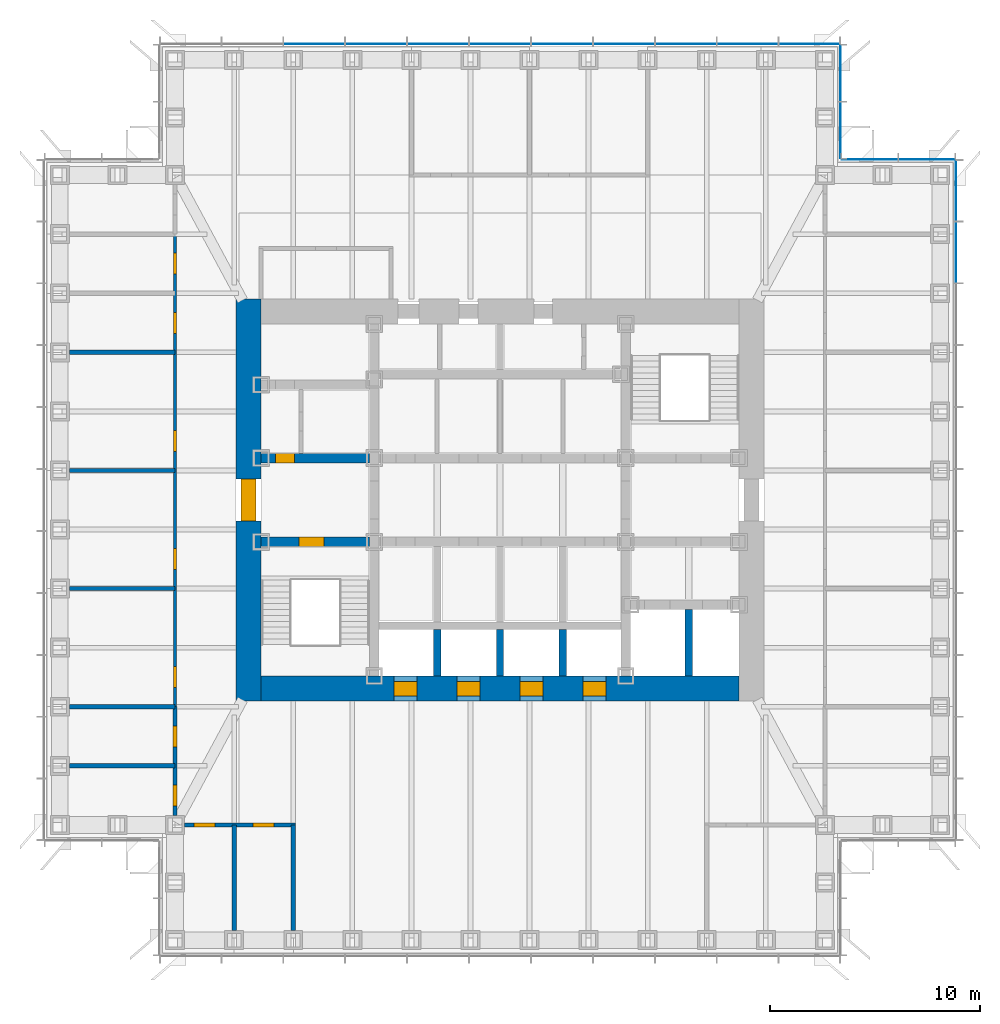
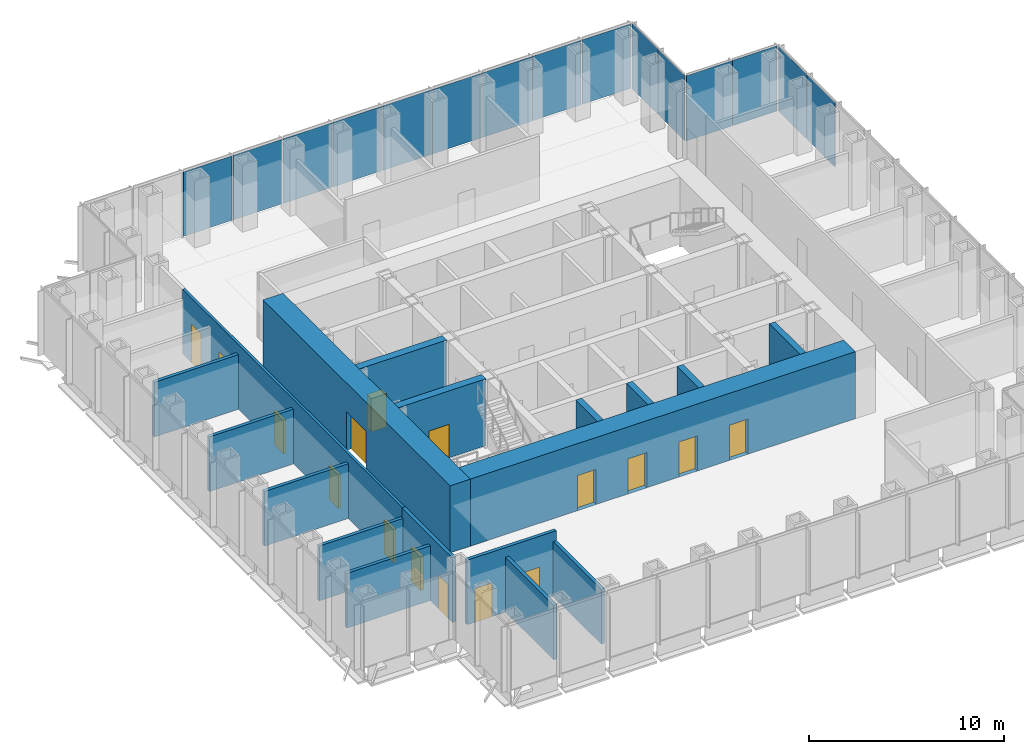
# One storey, part 8 of 17: 18 walls, 16 doors, 15 plates, 16 openings, 4 elements without a shape of their own.
"""IFC4 building model written with IfcOpenShell, lengths in metres."""

import ifcopenshell
import ifcopenshell.guid

model = None  # the IFC model being written
_history = None  # IfcOwnerHistory: only IFC2X3 demands one
_inside = {}  # id of a spatial element -> (the spatial element, [elements in it])
_under = {}  # id of a project, library or spatial element -> (it, [spatial elements below it])
_declared = {}  # id of a project -> (the project, [libraries it declares])
_typed = {}  # id of a type object -> (the type object, [elements of that type])
_made_of = {}  # id of a material, layer set ... -> (it, [elements and type objects made of it])


def new_model(schema):
    """Start an empty IFC model of exactly this schema.

    Asked for "IFC4X3", IfcOpenShell would pick the latest addendum, in which some entities
    have other attributes; the version numbers below select the first issue.
    IFC2X3 requires an IfcOwnerHistory on every rooted entity: one is made here for all.
    """
    global model, _history
    if schema == "IFC4X3":
        model = ifcopenshell.file(schema_version=(4, 3, 0, 0))
    else:
        model = ifcopenshell.file(schema=schema)
    _inside.clear()
    _under.clear()
    _declared.clear()
    _typed.clear()
    _made_of.clear()
    _history = None
    if model.schema == "IFC2X3":
        org = make("IfcOrganization", Name="unknown")
        user = make(
            "IfcPersonAndOrganization",
            ThePerson=make("IfcPerson", FamilyName="unknown"),
            TheOrganization=org,
        )
        app = make(
            "IfcApplication",
            ApplicationDeveloper=org,
            Version="unknown",
            ApplicationFullName="unknown",
            ApplicationIdentifier="unknown",
        )
        _history = make(
            "IfcOwnerHistory",
            OwningUser=user,
            OwningApplication=app,
            ChangeAction="ADDED",
            CreationDate=0,
        )
    return model


def make(cls, **values):
    """One entity of the class cls with the attributes given. An attribute that is None is left unset."""
    return model.create_entity(
        cls, **{name: value for name, value in values.items() if value is not None}
    )


def rooted(cls, **values):
    """An entity with a GlobalId (a new one), such as an element, a storey or a relation."""
    return make(cls, GlobalId=ifcopenshell.guid.new(), OwnerHistory=_history, **values)


def si_unit(unit_type, name, prefix=None):
    """IfcSIUnit, for example si_unit("LENGTHUNIT", "METRE", prefix="MILLI")."""
    return make("IfcSIUnit", UnitType=unit_type, Prefix=prefix, Name=name)


def assignment(units):
    """IfcUnitAssignment: the units of a project."""
    return None if units is None else make("IfcUnitAssignment", Units=units)


def point(xyz):
    """IfcCartesianPoint."""
    return None if xyz is None else make("IfcCartesianPoint", Coordinates=xyz)


def direction(xyz):
    """IfcDirection."""
    return None if xyz is None else make("IfcDirection", DirectionRatios=xyz)


def frame(location, z_axis=None, x_axis=None):
    """IfcAxis2Placement3D, a coordinate frame: its origin and axes. An axis left out is left unset."""
    return make(
        "IfcAxis2Placement3D",
        Location=point(location),
        Axis=direction(z_axis),
        RefDirection=direction(x_axis),
    )


def frame_2d(location, x_axis=None):
    """IfcAxis2Placement2D, a coordinate frame in the plane: its origin and x axis."""
    return make(
        "IfcAxis2Placement2D", Location=point(location), RefDirection=direction(x_axis)
    )


def origin():
    """The frame at (0, 0, 0) with its axes left unset."""
    return frame((0.0, 0.0, 0.0))


def origin_2d():
    """The frame at (0, 0) in the plane with its x axis left unset."""
    return frame_2d((0.0, 0.0))


def place(relative_to, where):
    """IfcLocalPlacement: puts the frame where relative to a parent placement (None: the world)."""
    return make(
        "IfcLocalPlacement", PlacementRelTo=relative_to, RelativePlacement=where
    )


def context(
    kind, dimensions, precision=None, world=None, true_north=None, identifier=None
):
    """IfcGeometricRepresentationContext, for example the 3D "Model" context."""
    return make(
        "IfcGeometricRepresentationContext",
        ContextIdentifier=identifier,
        ContextType=kind,
        CoordinateSpaceDimension=dimensions,
        Precision=precision,
        WorldCoordinateSystem=world,
        TrueNorth=true_north,
    )


def subcontext(parent, identifier, kind, view, scale=None):
    """IfcGeometricRepresentationSubContext, for example "Body" below "Model"."""
    return make(
        "IfcGeometricRepresentationSubContext",
        ContextIdentifier=identifier,
        ContextType=kind,
        ParentContext=parent,
        TargetScale=scale,
        TargetView=view,
    )


def project(units=None, contexts=None):
    """IfcProject with its units and contexts."""
    return rooted(
        "IfcProject",
        Name="project",
        RepresentationContexts=contexts,
        UnitsInContext=assignment(units),
    )


def spatial(cls, under=None, at=None, **own):
    """A site, building, storey or space (cls), placed at a placement, below another one or the project."""
    s = rooted(cls, ObjectPlacement=at, **own)
    if under is not None:
        _under.setdefault(under.id(), (under, []))[1].append(s)
    return s


def profile(cls, at=None, kind="AREA", **sizes):
    """A parametric profile (cls). Its sizes go by their IFC names, for example OverallWidth=200.0."""
    return make(cls, ProfileType=kind, Position=at, **sizes)


def rectangle(**sizes):
    """IfcRectangleProfileDef."""
    return profile("IfcRectangleProfileDef", **sizes)


def extrude(swept, where, along, depth):
    """IfcExtrudedAreaSolid: the profile swept, set in the frame where, extruded along a direction by depth."""
    return make(
        "IfcExtrudedAreaSolid",
        SweptArea=swept,
        Position=where,
        ExtrudedDirection=direction(along),
        Depth=depth,
    )


def shape(context_of_items, identifier, shape_type, items):
    """IfcShapeRepresentation: the items that make up one representation, for example the "Body"."""
    return make(
        "IfcShapeRepresentation",
        ContextOfItems=context_of_items,
        RepresentationIdentifier=identifier,
        RepresentationType=shape_type,
        Items=items,
    )


def material(Name=None, Category=None):
    """IfcMaterial."""
    return make("IfcMaterial", Name=Name, Category=Category)


def layer(
    of_material, thickness, ventilated=None, Name=None, Category=None, Priority=None
):
    """IfcMaterialLayer: one layer of a wall or slab, of a material (None: an air gap)."""
    return make(
        "IfcMaterialLayer",
        Material=of_material,
        LayerThickness=thickness,
        IsVentilated=ventilated,
        Name=Name,
        Category=Category,
        Priority=Priority,
    )


def layer_set(layers, Name=None):
    """IfcMaterialLayerSet."""
    return make("IfcMaterialLayerSet", MaterialLayers=layers, LayerSetName=Name)


def made_of(thing, what):
    """Note that an element or type object is made of a material, layer set ...; save() writes the relation."""
    if what is not None:
        _made_of.setdefault(what.id(), (what, []))[1].append(thing)
    return thing


def type_object(cls, material=None, **own):
    """A type object (cls), such as IfcWallType, which elements share."""
    return made_of(rooted(cls, **own), material)


def element(
    cls,
    number,
    at=None,
    inside=None,
    cuts=None,
    type_object=None,
    material=None,
    context=None,
    identifier="Body",
    shape_type=None,
    held_by="IfcProductDefinitionShape",
    body=None,
    shapes=None,
    **own,
):
    """One element of the class cls, such as IfcWall. Its Tag is "e" and its number.

    at: its placement. inside: the storey or other place that contains it. cuts: it is an
    opening in that element (IfcRelVoidsElement). A single representation is given by context,
    identifier, shape_type and body (its items); several are given by shapes. held_by: the class
    of the entity that holds the representations. save() writes the other relations.
    """
    e = rooted(cls, Tag="e%d" % number, ObjectPlacement=at, **own)
    if body is not None:
        shapes = [shape(context, identifier, shape_type, body)]
    if shapes is not None:
        e.Representation = make(held_by, Representations=shapes)
    if inside is not None:
        _inside.setdefault(inside.id(), (inside, []))[1].append(e)
    if cuts is not None:
        rooted(
            "IfcRelVoidsElement", RelatingBuildingElement=cuts, RelatedOpeningElement=e
        )
    if type_object is not None:
        _typed.setdefault(type_object.id(), (type_object, []))[1].append(e)
    return made_of(e, material)


def fill(opening, filler):
    """IfcRelFillsElement: the door or window that sits in an opening."""
    return rooted(
        "IfcRelFillsElement",
        RelatingOpeningElement=opening,
        RelatedBuildingElement=filler,
    )


def aggregate(whole, parts):
    """IfcRelAggregates: a whole, such as a stair, and the parts it consists of."""
    return rooted("IfcRelAggregates", RelatingObject=whole, RelatedObjects=parts)


def save(model, path):
    """Write the relations noted so far, then the file.

    IfcRelAggregates (storeys below a building ...), IfcRelContainedInSpatialStructure (elements
    in a storey), IfcRelDefinesByType, IfcRelAssociatesMaterial and IfcRelDeclares: one each for
    every whole, place, type object, material and project.
    """
    for whole, parts in _under.values():
        aggregate(whole, parts)
    for where, things in _inside.values():
        rooted(
            "IfcRelContainedInSpatialStructure",
            RelatedElements=things,
            RelatingStructure=where,
        )
    for kind, things in _typed.values():
        rooted("IfcRelDefinesByType", RelatedObjects=things, RelatingType=kind)
    for what, things in _made_of.values():
        rooted("IfcRelAssociatesMaterial", RelatedObjects=things, RelatingMaterial=what)
    for by, libraries in _declared.values():
        rooted("IfcRelDeclares", RelatingContext=by, RelatedDefinitions=libraries)
    model.write(path)


model = new_model("IFC4")

# Units and contexts
model_context = context("Model", 3, precision=1e-05, world=origin(), true_north=direction((0.0, 1.0)))
body_context = subcontext(model_context, "Body", "Model", "MODEL_VIEW")
ifc_project = project(units=[si_unit("LENGTHUNIT", "METRE"), si_unit("AREAUNIT", "SQUARE_METRE"), si_unit("VOLUMEUNIT", "CUBIC_METRE"), si_unit("PLANEANGLEUNIT", "RADIAN"), si_unit("MASSUNIT", "GRAM", prefix="KILO")], contexts=[model_context])

# Site, building, storey
site_placement = place(None, origin())
site = spatial("IfcSite", under=ifc_project, at=site_placement, CompositionType="ELEMENT")
building_placement = place(site_placement, origin())
building = spatial("IfcBuilding", under=site, at=building_placement, Name="Daluyong Arena Tower", CompositionType="ELEMENT")
storey_placement = place(building_placement, frame((0.0, 0.0, 185.5)))
storey = spatial("IfcBuildingStorey", under=building, at=storey_placement, Name="L41", CompositionType="ELEMENT", Elevation=185.5)

# Curtain wall, plates
ifc_material_1 = material(Name="Bronze anodised aluminium and glass", Category="aluminium")
curtain_wall_type_1 = type_object("IfcCurtainWallType", Name="Curtain wall CW3", PredefinedType="USERDEFINED", material=ifc_material_1)
curtain_wall_1_placement = place(storey_placement, origin())
curtain_wall_1 = element("IfcCurtainWall", 1, at=curtain_wall_1_placement, inside=storey, type_object=curtain_wall_type_1, Name="curtain wall L41 E", ObjectType="UNITISED CURTAIN WALL", PredefinedType="USERDEFINED")
ifc_material_2 = material(Name="Tinted double glazed unit", Category="glass")
ifc_layer_1 = layer(ifc_material_2, 0.030029296875)
ifc_layer_set_1 = layer_set([ifc_layer_1], Name="Tinted double glazed unit")
plate_type_1 = type_object("IfcPlateType", Name="CW3 panel 30", PredefinedType="CURTAIN_PANEL", material=ifc_layer_set_1)
plate_1_placement = place(storey_placement, frame((77.75, 91.818115234375, 0.0), z_axis=(0.0, 0.0, 1.0), x_axis=(0.0, 1.0, 0.0)))
plate_1 = element("IfcPlate", 2, at=plate_1_placement, type_object=plate_type_1, Name="curtain wall L41 E panel 10", PredefinedType="CURTAIN_PANEL", context=body_context, shape_type="SweptSolid", body=[
    extrude(rectangle(XDim=2.884521484375, YDim=0.030029296875, at=origin_2d()), origin(), (0.0, 0.0, 1.0), 4.0400390625),
])
plate_2_placement = place(storey_placement, frame((77.75, 94.755126953125, 0.0), z_axis=(0.0, 0.0, 1.0), x_axis=(0.0, 1.0, 0.0)))
plate_2 = element("IfcPlate", 3, at=plate_2_placement, type_object=plate_type_1, Name="curtain wall L41 E panel 11", PredefinedType="CURTAIN_PANEL", context=body_context, shape_type="SweptSolid", body=[
    extrude(rectangle(XDim=2.849609375, YDim=0.030029296875, at=origin_2d()), origin(), (0.0, 0.0, 1.0), 4.0400390625),
])
aggregate(curtain_wall_1, [plate_1, plate_2])

curtain_wall_2_placement = place(storey_placement, origin())
curtain_wall_2 = element("IfcCurtainWall", 4, at=curtain_wall_2_placement, inside=storey, type_object=curtain_wall_type_1, Name="curtain wall L41 N", ObjectType="UNITISED CURTAIN WALL", PredefinedType="USERDEFINED")
plate_3_placement = place(storey_placement, frame((70.755126953125, 101.75, 0.0), z_axis=(0.0, 0.0, 1.0), x_axis=(-1.0, 0.0, 0.0)))
plate_3 = element("IfcPlate", 5, at=plate_3_placement, type_object=plate_type_1, Name="curtain wall L41 N panel 1", PredefinedType="CURTAIN_PANEL", context=body_context, shape_type="SweptSolid", body=[
    extrude(rectangle(XDim=2.849609375, YDim=0.030029296875, at=origin_2d()), origin(), (0.0, 0.0, 1.0), 4.0400390625),
])
plate_4_placement = place(storey_placement, frame((67.818115234375, 101.75, 0.0), z_axis=(0.0, 0.0, 1.0), x_axis=(-1.0, 0.0, 0.0)))
plate_4 = element("IfcPlate", 6, at=plate_4_placement, type_object=plate_type_1, Name="curtain wall L41 N panel 2", PredefinedType="CURTAIN_PANEL", context=body_context, shape_type="SweptSolid", body=[
    extrude(rectangle(XDim=2.884521484375, YDim=0.030029296875, at=origin_2d()), origin(), (0.0, 0.0, 1.0), 4.0400390625),
])
plate_5_placement = place(storey_placement, frame((64.863525390625, 101.75, 0.0), z_axis=(0.0, 0.0, 1.0), x_axis=(-1.0, 0.0, 0.0)))
plate_5 = element("IfcPlate", 7, at=plate_5_placement, type_object=plate_type_1, Name="curtain wall L41 N panel 3", PredefinedType="CURTAIN_PANEL", context=body_context, shape_type="SweptSolid", body=[
    extrude(rectangle(XDim=2.884521484375, YDim=0.030029296875, at=origin_2d()), origin(), (0.0, 0.0, 1.0), 4.0400390625),
])
plate_6_placement = place(storey_placement, frame((61.9091796875, 101.75, 0.0), z_axis=(0.0, 0.0, 1.0), x_axis=(-1.0, 0.0, 0.0)))
plate_6 = element("IfcPlate", 8, at=plate_6_placement, type_object=plate_type_1, Name="curtain wall L41 N panel 4", PredefinedType="CURTAIN_PANEL", context=body_context, shape_type="SweptSolid", body=[
    extrude(rectangle(XDim=2.884521484375, YDim=0.030029296875, at=origin_2d()), origin(), (0.0, 0.0, 1.0), 4.0400390625),
])
plate_7_placement = place(storey_placement, frame((58.95458984375, 101.75, 0.0), z_axis=(0.0, 0.0, 1.0), x_axis=(-1.0, 0.0, 0.0)))
plate_7 = element("IfcPlate", 9, at=plate_7_placement, type_object=plate_type_1, Name="curtain wall L41 N panel 5", PredefinedType="CURTAIN_PANEL", context=body_context, shape_type="SweptSolid", body=[
    extrude(rectangle(XDim=2.884521484375, YDim=0.030029296875, at=origin_2d()), origin(), (0.0, 0.0, 1.0), 4.0400390625),
])
plate_8_placement = place(storey_placement, frame((56.0, 101.75, 0.0), z_axis=(0.0, 0.0, 1.0), x_axis=(-1.0, 0.0, 0.0)))
plate_8 = element("IfcPlate", 10, at=plate_8_placement, type_object=plate_type_1, Name="curtain wall L41 N panel 6", PredefinedType="CURTAIN_PANEL", context=body_context, shape_type="SweptSolid", body=[
    extrude(rectangle(XDim=2.884521484375, YDim=0.030029296875, at=origin_2d()), origin(), (0.0, 0.0, 1.0), 4.0400390625),
])
plate_9_placement = place(storey_placement, frame((53.04541015625, 101.75, 0.0), z_axis=(0.0, 0.0, 1.0), x_axis=(-1.0, 0.0, 0.0)))
plate_9 = element("IfcPlate", 11, at=plate_9_placement, type_object=plate_type_1, Name="curtain wall L41 N panel 7", PredefinedType="CURTAIN_PANEL", context=body_context, shape_type="SweptSolid", body=[
    extrude(rectangle(XDim=2.884521484375, YDim=0.030029296875, at=origin_2d()), origin(), (0.0, 0.0, 1.0), 4.0400390625),
])
plate_10_placement = place(storey_placement, frame((50.0908203125, 101.75, 0.0), z_axis=(0.0, 0.0, 1.0), x_axis=(-1.0, 0.0, 0.0)))
plate_10 = element("IfcPlate", 12, at=plate_10_placement, type_object=plate_type_1, Name="curtain wall L41 N panel 8", PredefinedType="CURTAIN_PANEL", context=body_context, shape_type="SweptSolid", body=[
    extrude(rectangle(XDim=2.884521484375, YDim=0.030029296875, at=origin_2d()), origin(), (0.0, 0.0, 1.0), 4.0400390625),
])
plate_11_placement = place(storey_placement, frame((47.136474609375, 101.75, 0.0), z_axis=(0.0, 0.0, 1.0), x_axis=(-1.0, 0.0, 0.0)))
plate_11 = element("IfcPlate", 13, at=plate_11_placement, type_object=plate_type_1, Name="curtain wall L41 N panel 9", PredefinedType="CURTAIN_PANEL", context=body_context, shape_type="SweptSolid", body=[
    extrude(rectangle(XDim=2.884521484375, YDim=0.030029296875, at=origin_2d()), origin(), (0.0, 0.0, 1.0), 4.0400390625),
])
aggregate(curtain_wall_2, [plate_3, plate_4, plate_5, plate_6, plate_7, plate_8, plate_9, plate_10, plate_11])

ifc_material_3 = material(Name="Bronze anodised aluminium and glass", Category="aluminium")
curtain_wall_type_2 = type_object("IfcCurtainWallType", Name="Curtain wall CW7", PredefinedType="USERDEFINED", material=ifc_material_3)
curtain_wall_3_placement = place(storey_placement, origin())
curtain_wall_3 = element("IfcCurtainWall", 14, at=curtain_wall_3_placement, inside=storey, type_object=curtain_wall_type_2, Name="curtain wall L41 NE-N", ObjectType="UNITISED CURTAIN WALL", PredefinedType="USERDEFINED")
ifc_material_4 = material(Name="Tinted double glazed unit", Category="glass")
ifc_layer_2 = layer(ifc_material_4, 0.028076171875)
ifc_layer_set_2 = layer_set([ifc_layer_2], Name="Tinted double glazed unit")
plate_type_2 = type_object("IfcPlateType", Name="CW7 panel 28", PredefinedType="CURTAIN_PANEL", material=ifc_layer_set_2)
plate_12_placement = place(storey_placement, frame((76.360107421875, 96.25, 0.0), z_axis=(0.0, 0.0, 1.0), x_axis=(-1.0, 0.0, 0.0)))
plate_12 = element("IfcPlate", 15, at=plate_12_placement, type_object=plate_type_2, Name="curtain wall L41 NE-N panel 1", PredefinedType="CURTAIN_PANEL", context=body_context, shape_type="SweptSolid", body=[
    extrude(rectangle(XDim=2.659912109375, YDim=0.028076171875, at=origin_2d()), origin(), (0.0, 0.0, 1.0), 4.080078125),
])
plate_13_placement = place(storey_placement, frame((73.639892578125, 96.25, 0.0), z_axis=(0.0, 0.0, 1.0), x_axis=(-1.0, 0.0, 0.0)))
plate_13 = element("IfcPlate", 16, at=plate_13_placement, type_object=plate_type_2, Name="curtain wall L41 NE-N panel 2", PredefinedType="CURTAIN_PANEL", context=body_context, shape_type="SweptSolid", body=[
    extrude(rectangle(XDim=2.659912109375, YDim=0.028076171875, at=origin_2d()), origin(), (0.0, 0.0, 1.0), 4.080078125),
])
aggregate(curtain_wall_3, [plate_12, plate_13])

curtain_wall_4_placement = place(storey_placement, origin())
curtain_wall_4 = element("IfcCurtainWall", 17, at=curtain_wall_4_placement, inside=storey, type_object=curtain_wall_type_2, Name="curtain wall L41 NE-E", ObjectType="UNITISED CURTAIN WALL", PredefinedType="USERDEFINED")
plate_14_placement = place(storey_placement, frame((72.25, 97.639892578125, 0.0), z_axis=(0.0, 0.0, 1.0), x_axis=(0.0, 1.0, 0.0)))
plate_14 = element("IfcPlate", 18, at=plate_14_placement, type_object=plate_type_2, Name="curtain wall L41 NE-E panel 1", PredefinedType="CURTAIN_PANEL", context=body_context, shape_type="SweptSolid", body=[
    extrude(rectangle(XDim=2.659912109375, YDim=0.028076171875, at=origin_2d()), origin(), (0.0, 0.0, 1.0), 4.080078125),
])
plate_15_placement = place(storey_placement, frame((72.25, 100.360107421875, 0.0), z_axis=(0.0, 0.0, 1.0), x_axis=(0.0, 1.0, 0.0)))
plate_15 = element("IfcPlate", 19, at=plate_15_placement, type_object=plate_type_2, Name="curtain wall L41 NE-E panel 2", PredefinedType="CURTAIN_PANEL", context=body_context, shape_type="SweptSolid", body=[
    extrude(rectangle(XDim=2.659912109375, YDim=0.028076171875, at=origin_2d()), origin(), (0.0, 0.0, 1.0), 4.080078125),
])
aggregate(curtain_wall_4, [plate_14, plate_15])

# Wall, opening, door
ifc_material_5 = material(Name="Concrete fc' 45 MPa", Category="concrete")
ifc_layer_3 = layer(ifc_material_5, 0.449951171875)
ifc_layer_set_3 = layer_set([ifc_layer_3], Name="Concrete fc' 45 MPa")
wall_type_1 = type_object("IfcWallType", Name="Core inner wall 450", PredefinedType="SHEAR", material=ifc_layer_set_3)
wall_1_placement = place(storey_placement, frame((44.60009765625, 78.0, 0.0), z_axis=(0.0, 0.0, 1.0), x_axis=(1.0, 0.0, 0.0)))
wall_1 = element("IfcWall", 20, at=wall_1_placement, inside=storey, type_object=wall_type_1, Name="core inner wall at L41", PredefinedType="SHEAR", context=body_context, shape_type="SweptSolid", body=[
    extrude(rectangle(XDim=5.1748046875, YDim=0.449951171875, at=frame_2d((2.58740234375, 0.0))), origin(), (0.0, 0.0, 1.0), 4.199951171875),
])
opening_1_placement = place(wall_1_placement, frame((1.800048828125, 0.0, 0.0)))
opening_1 = element("IfcOpeningElement", 21, at=opening_1_placement, cuts=wall_1, Name="Opening 41016", PredefinedType="OPENING", context=body_context, shape_type="SweptSolid", body=[
    extrude(rectangle(XDim=1.199951171875, YDim=2.10009765625, at=frame_2d((0.60009765625, 1.050048828125))), frame((0.0, 0.23486328125, 0.0), z_axis=(0.0, -1.0, 0.0), x_axis=(1.0, 0.0, 0.0)), (0.0, 0.0, 1.0), 0.469970703125),
])
ifc_material_6 = material(Name="Steel door, fire rated", Category="steel")
door_type_1 = type_object("IfcDoorType", Name="Stair door 1200", OperationType="SINGLE_SWING_LEFT", PredefinedType="DOOR", material=ifc_material_6)
door_1_placement = place(opening_1_placement, origin())
door_1 = element("IfcDoor", 22, at=door_1_placement, inside=storey, type_object=door_type_1, Name="stair A door 41016", OperationType="SINGLE_SWING_LEFT", OverallHeight=2.10009765625, OverallWidth=1.199951171875, PredefinedType="DOOR", context=body_context, shape_type="SweptSolid", body=[
    extrude(rectangle(XDim=1.199951171875, YDim=2.10009765625, at=frame_2d((0.60009765625, 1.050048828125))), frame((0.0, 0.224609375, 0.0), z_axis=(0.0, -1.0, 0.0), x_axis=(1.0, 0.0, 0.0)), (0.0, 0.0, 1.0), 0.449462890625),
])
fill(opening_1, door_1)

wall_2_placement = place(storey_placement, frame((44.60009765625, 82.0, 0.0), z_axis=(0.0, 0.0, 1.0), x_axis=(1.0, 0.0, 0.0)))
wall_2 = element("IfcWall", 23, at=wall_2_placement, inside=storey, type_object=wall_type_1, Name="core inner wall at L41", PredefinedType="SHEAR", context=body_context, shape_type="SweptSolid", body=[
    extrude(rectangle(XDim=5.1748046875, YDim=0.449951171875, at=frame_2d((2.58740234375, 0.0))), origin(), (0.0, 0.0, 1.0), 4.199951171875),
])
opening_2_placement = place(wall_2_placement, frame((0.699951171875, 0.0, 0.0)))
opening_2 = element("IfcOpeningElement", 24, at=opening_2_placement, cuts=wall_2, Name="Opening 41001", PredefinedType="OPENING", context=body_context, shape_type="SweptSolid", body=[
    extrude(rectangle(XDim=0.89990234375, YDim=2.10009765625, at=frame_2d((0.449951171875, 1.050048828125))), frame((0.0, 0.23486328125, 0.0), z_axis=(0.0, -1.0, 0.0), x_axis=(1.0, 0.0, 0.0)), (0.0, 0.0, 1.0), 0.469970703125),
])
ifc_material_7 = material(Name="Steel door, fire rated", Category="steel")
door_type_2 = type_object("IfcDoorType", Name="Core room door 900", OperationType="SINGLE_SWING_LEFT", PredefinedType="DOOR", material=ifc_material_7)
door_2_placement = place(opening_2_placement, origin())
door_2 = element("IfcDoor", 25, at=door_2_placement, inside=storey, type_object=door_type_2, Name="toilet lobby door 41001", OperationType="SINGLE_SWING_LEFT", OverallHeight=2.10009765625, OverallWidth=0.89990234375, PredefinedType="DOOR", context=body_context, shape_type="SweptSolid", body=[
    extrude(rectangle(XDim=0.89990234375, YDim=2.10009765625, at=frame_2d((0.449951171875, 1.050048828125))), frame((0.0, 0.224609375, 0.0), z_axis=(0.0, -1.0, 0.0), x_axis=(1.0, 0.0, 0.0)), (0.0, 0.0, 1.0), 0.449462890625),
])
fill(opening_2, door_2)

ifc_material_8 = material(Name="Concrete fc' 60 MPa", Category="concrete")
ifc_layer_4 = layer(ifc_material_8, 1.199951171875)
ifc_layer_set_4 = layer_set([ifc_layer_4], Name="Concrete fc' 60 MPa")
wall_type_2 = type_object("IfcWallType", Name="Core wall 1200", PredefinedType="SHEAR", material=ifc_layer_set_4)
wall_3_placement = place(storey_placement, frame((44.0, 70.39990234375, 0.0), z_axis=(0.0, 0.0, 1.0), x_axis=(0.0, 1.0, 0.0)))
wall_3 = element("IfcWall", 26, at=wall_3_placement, inside=storey, type_object=wall_type_2, Name="core wall at L41", PredefinedType="SHEAR", context=body_context, shape_type="SweptSolid", body=[
    extrude(rectangle(XDim=19.2001953125, YDim=1.199951171875, at=frame_2d((9.60009765625, 0.0))), origin(), (0.0, 0.0, 1.0), 4.199951171875),
])
opening_3_placement = place(wall_3_placement, frame((8.60009765625, 0.0, 0.0)))
opening_3 = element("IfcOpeningElement", 27, at=opening_3_placement, cuts=wall_3, Name="Opening 41018", PredefinedType="OPENING", context=body_context, shape_type="SweptSolid", body=[
    extrude(rectangle(XDim=2.0, YDim=2.39990234375, at=frame_2d((1.0, 1.199951171875))), frame((0.0, 0.60986328125, 0.0), z_axis=(0.0, -1.0, 0.0), x_axis=(1.0, 0.0, 0.0)), (0.0, 0.0, 1.0), 1.219970703125),
])
ifc_material_9 = material(Name="Steel door, fire rated", Category="steel")
door_type_3 = type_object("IfcDoorType", Name="Core lobby double door 2000", OperationType="DOUBLE_DOOR_SINGLE_SWING", PredefinedType="DOOR", material=ifc_material_9)
door_3_placement = place(opening_3_placement, origin())
door_3 = element("IfcDoor", 28, at=door_3_placement, inside=storey, type_object=door_type_3, Name="core lobby door west 41018", OperationType="DOUBLE_DOOR_SINGLE_SWING", OverallHeight=2.39990234375, OverallWidth=2.0, PredefinedType="DOOR", context=body_context, shape_type="SweptSolid", body=[
    extrude(rectangle(XDim=2.0, YDim=2.39990234375, at=frame_2d((1.0, 1.199951171875))), frame((0.0, 0.35009765625, 0.0), z_axis=(0.0, -1.0, 0.0), x_axis=(1.0, 0.0, 0.0)), (0.0, 0.0, 1.0), 0.699951171875),
])
fill(opening_3, door_3)

# Wall, openings, doors
wall_4_placement = place(storey_placement, frame((44.60009765625, 71.0, 0.0), z_axis=(0.0, 0.0, 1.0), x_axis=(1.0, 0.0, 0.0)))
wall_4 = element("IfcWall", 29, at=wall_4_placement, inside=storey, type_object=wall_type_2, Name="core wall at L41", PredefinedType="SHEAR", context=body_context, shape_type="SweptSolid", body=[
    extrude(rectangle(XDim=22.7998046875, YDim=1.199951171875, at=frame_2d((11.39990234375, 0.0))), origin(), (0.0, 0.0, 1.0), 4.199951171875),
])
opening_4_placement = place(wall_4_placement, frame((6.35009765625, 0.0, 0.0)))
opening_4 = element("IfcOpeningElement", 30, at=opening_4_placement, cuts=wall_4, Name="Opening 41023", PredefinedType="OPENING", context=body_context, shape_type="SweptSolid", body=[
    extrude(rectangle(XDim=1.10009765625, YDim=2.199951171875, at=frame_2d((0.550048828125, 1.10009765625))), frame((0.0, 0.60986328125, 0.0), z_axis=(0.0, -1.0, 0.0), x_axis=(1.0, 0.0, 0.0)), (0.0, 0.0, 1.0), 1.219970703125),
])
opening_5_placement = place(wall_4_placement, frame((9.35009765625, 0.0, 0.0)))
opening_5 = element("IfcOpeningElement", 31, at=opening_5_placement, cuts=wall_4, Name="Opening 41024", PredefinedType="OPENING", context=body_context, shape_type="SweptSolid", body=[
    extrude(rectangle(XDim=1.10009765625, YDim=2.199951171875, at=frame_2d((0.550048828125, 1.10009765625))), frame((0.0, 0.60986328125, 0.0), z_axis=(0.0, -1.0, 0.0), x_axis=(1.0, 0.0, 0.0)), (0.0, 0.0, 1.0), 1.219970703125),
])
opening_6_placement = place(wall_4_placement, frame((12.35009765625, 0.0, 0.0)))
opening_6 = element("IfcOpeningElement", 32, at=opening_6_placement, cuts=wall_4, Name="Opening 41025", PredefinedType="OPENING", context=body_context, shape_type="SweptSolid", body=[
    extrude(rectangle(XDim=1.10009765625, YDim=2.199951171875, at=frame_2d((0.550048828125, 1.10009765625))), frame((0.0, 0.60986328125, 0.0), z_axis=(0.0, -1.0, 0.0), x_axis=(1.0, 0.0, 0.0)), (0.0, 0.0, 1.0), 1.219970703125),
])
opening_7_placement = place(wall_4_placement, frame((15.35009765625, 0.0, 0.0)))
opening_7 = element("IfcOpeningElement", 33, at=opening_7_placement, cuts=wall_4, Name="Opening 41026", PredefinedType="OPENING", context=body_context, shape_type="SweptSolid", body=[
    extrude(rectangle(XDim=1.10009765625, YDim=2.199951171875, at=frame_2d((0.550048828125, 1.10009765625))), frame((0.0, 0.60986328125, 0.0), z_axis=(0.0, -1.0, 0.0), x_axis=(1.0, 0.0, 0.0)), (0.0, 0.0, 1.0), 1.219970703125),
])
ifc_material_10 = material(Name="Steel door, fire rated", Category="steel")
door_type_4 = type_object("IfcDoorType", Name="Lift landing door 1100", OperationType="SLIDING_TO_LEFT", PredefinedType="DOOR", material=ifc_material_10)
door_4_placement = place(opening_4_placement, origin())
door_4 = element("IfcDoor", 34, at=door_4_placement, inside=storey, type_object=door_type_4, Name="lift landing door C1 41023", OperationType="SLIDING_TO_LEFT", OverallHeight=2.199951171875, OverallWidth=1.10009765625, PredefinedType="DOOR", context=body_context, shape_type="SweptSolid", body=[
    extrude(rectangle(XDim=1.10009765625, YDim=2.199951171875, at=frame_2d((0.550048828125, 1.10009765625))), frame((0.0, 0.35009765625, 0.0), z_axis=(0.0, -1.0, 0.0), x_axis=(1.0, 0.0, 0.0)), (0.0, 0.0, 1.0), 0.699951171875),
])
fill(opening_4, door_4)
door_5_placement = place(opening_5_placement, origin())
door_5 = element("IfcDoor", 35, at=door_5_placement, inside=storey, type_object=door_type_4, Name="lift landing door C2 41024", OperationType="SLIDING_TO_LEFT", OverallHeight=2.199951171875, OverallWidth=1.10009765625, PredefinedType="DOOR", context=body_context, shape_type="SweptSolid", body=[
    extrude(rectangle(XDim=1.10009765625, YDim=2.199951171875, at=frame_2d((0.550048828125, 1.10009765625))), frame((0.0, 0.35009765625, 0.0), z_axis=(0.0, -1.0, 0.0), x_axis=(1.0, 0.0, 0.0)), (0.0, 0.0, 1.0), 0.699951171875),
])
fill(opening_5, door_5)
door_6_placement = place(opening_6_placement, origin())
door_6 = element("IfcDoor", 36, at=door_6_placement, inside=storey, type_object=door_type_4, Name="lift landing door C3 41025", OperationType="SLIDING_TO_LEFT", OverallHeight=2.199951171875, OverallWidth=1.10009765625, PredefinedType="DOOR", context=body_context, shape_type="SweptSolid", body=[
    extrude(rectangle(XDim=1.10009765625, YDim=2.199951171875, at=frame_2d((0.550048828125, 1.10009765625))), frame((0.0, 0.35009765625, 0.0), z_axis=(0.0, -1.0, 0.0), x_axis=(1.0, 0.0, 0.0)), (0.0, 0.0, 1.0), 0.699951171875),
])
fill(opening_6, door_6)
door_7_placement = place(opening_7_placement, origin())
door_7 = element("IfcDoor", 37, at=door_7_placement, inside=storey, type_object=door_type_4, Name="lift landing door C4 41026", OperationType="SLIDING_TO_LEFT", OverallHeight=2.199951171875, OverallWidth=1.10009765625, PredefinedType="DOOR", context=body_context, shape_type="SweptSolid", body=[
    extrude(rectangle(XDim=1.10009765625, YDim=2.199951171875, at=frame_2d((0.550048828125, 1.10009765625))), frame((0.0, 0.35009765625, 0.0), z_axis=(0.0, -1.0, 0.0), x_axis=(1.0, 0.0, 0.0)), (0.0, 0.0, 1.0), 0.699951171875),
])
fill(opening_7, door_7)

ifc_material_11 = material(Name="Glazed aluminium partition", Category="aluminium")
ifc_layer_5 = layer(ifc_material_11, 0.14990234375)
ifc_layer_set_5 = layer_set([ifc_layer_5], Name="Glazed aluminium partition")
wall_type_3 = type_object("IfcWallType", Name="Glazed partition 150", PredefinedType="PARTITIONING", material=ifc_layer_set_5)
wall_5_placement = place(storey_placement, frame((40.5, 70.136474609375, 0.0), z_axis=(0.0, 0.0, 1.0), x_axis=(0.0, 1.0, 0.0)))
wall_5 = element("IfcWall", 38, at=wall_5_placement, inside=storey, type_object=wall_type_3, Name="glazed partition at L41", PredefinedType="PARTITIONING", context=body_context, shape_type="SweptSolid", body=[
    extrude(rectangle(XDim=22.54541015625, YDim=0.14990234375, at=frame_2d((11.272705078125, 0.0))), origin(), (0.0, 0.0, 1.0), 4.0400390625),
])
opening_8_placement = place(wall_5_placement, frame((0.9091796875, 0.0, 0.0)))
opening_8 = element("IfcOpeningElement", 39, at=opening_8_placement, cuts=wall_5, Name="Opening 41042", PredefinedType="OPENING", context=body_context, shape_type="SweptSolid", body=[
    extrude(rectangle(XDim=1.0, YDim=2.10009765625, at=frame_2d((0.5, 1.050048828125))), frame((0.0, 0.0849609375, 0.0), z_axis=(0.0, -1.0, 0.0), x_axis=(1.0, 0.0, 0.0)), (0.0, 0.0, 1.0), 0.169921875),
])
opening_9_placement = place(wall_5_placement, frame((6.54541015625, 0.0, 0.0)))
opening_9 = element("IfcOpeningElement", 40, at=opening_9_placement, cuts=wall_5, Name="Opening 41043", PredefinedType="OPENING", context=body_context, shape_type="SweptSolid", body=[
    extrude(rectangle(XDim=1.0, YDim=2.10009765625, at=frame_2d((0.5, 1.050048828125))), frame((0.0, 0.0849609375, 0.0), z_axis=(0.0, -1.0, 0.0), x_axis=(1.0, 0.0, 0.0)), (0.0, 0.0, 1.0), 0.169921875),
])
opening_10_placement = place(wall_5_placement, frame((12.181884765625, 0.0, 0.0)))
opening_10 = element("IfcOpeningElement", 41, at=opening_10_placement, cuts=wall_5, Name="Opening 41044", PredefinedType="OPENING", context=body_context, shape_type="SweptSolid", body=[
    extrude(rectangle(XDim=1.0, YDim=2.10009765625, at=frame_2d((0.5, 1.050048828125))), frame((0.0, 0.0849609375, 0.0), z_axis=(0.0, -1.0, 0.0), x_axis=(1.0, 0.0, 0.0)), (0.0, 0.0, 1.0), 0.169921875),
])
opening_11_placement = place(wall_5_placement, frame((17.818115234375, 0.0, 0.0)))
opening_11 = element("IfcOpeningElement", 42, at=opening_11_placement, cuts=wall_5, Name="Opening 41045", PredefinedType="OPENING", context=body_context, shape_type="SweptSolid", body=[
    extrude(rectangle(XDim=1.0, YDim=2.39990234375, at=frame_2d((0.5, 1.199951171875))), frame((0.0, 0.0849609375, 0.0), z_axis=(0.0, -1.0, 0.0), x_axis=(1.0, 0.0, 0.0)), (0.0, 0.0, 1.0), 0.169921875),
])
opening_12_placement = place(wall_5_placement, frame((20.636474609375, 0.0, 0.0)))
opening_12 = element("IfcOpeningElement", 43, at=opening_12_placement, cuts=wall_5, Name="Opening 41046", PredefinedType="OPENING", context=body_context, shape_type="SweptSolid", body=[
    extrude(rectangle(XDim=1.0, YDim=2.39990234375, at=frame_2d((0.5, 1.199951171875))), frame((0.0, 0.0849609375, 0.0), z_axis=(0.0, -1.0, 0.0), x_axis=(1.0, 0.0, 0.0)), (0.0, 0.0, 1.0), 0.169921875),
])
ifc_material_12 = material(Name="Glazed aluminium door", Category="aluminium")
door_type_5 = type_object("IfcDoorType", Name="Meeting room glazed door 1000", OperationType="SINGLE_SWING_RIGHT", PredefinedType="DOOR", material=ifc_material_12)
door_8_placement = place(opening_11_placement, origin())
door_8 = element("IfcDoor", 44, at=door_8_placement, inside=storey, type_object=door_type_5, Name="focus room door 41045", OperationType="SINGLE_SWING_RIGHT", OverallHeight=2.39990234375, OverallWidth=1.0, PredefinedType="DOOR", context=body_context, shape_type="SweptSolid", body=[
    extrude(rectangle(XDim=1.0, YDim=2.39990234375, at=frame_2d((0.5, 1.199951171875))), frame((0.0, 0.07470703125, 0.0), z_axis=(0.0, -1.0, 0.0), x_axis=(1.0, 0.0, 0.0)), (0.0, 0.0, 1.0), 0.1494140625),
])
fill(opening_11, door_8)
door_9_placement = place(opening_12_placement, origin())
door_9 = element("IfcDoor", 45, at=door_9_placement, inside=storey, type_object=door_type_5, Name="focus room door 41046", OperationType="SINGLE_SWING_RIGHT", OverallHeight=2.39990234375, OverallWidth=1.0, PredefinedType="DOOR", context=body_context, shape_type="SweptSolid", body=[
    extrude(rectangle(XDim=1.0, YDim=2.39990234375, at=frame_2d((0.5, 1.199951171875))), frame((0.0, 0.07470703125, 0.0), z_axis=(0.0, -1.0, 0.0), x_axis=(1.0, 0.0, 0.0)), (0.0, 0.0, 1.0), 0.1494140625),
])
fill(opening_12, door_9)
ifc_material_13 = material(Name="Timber door", Category="wood")
door_type_6 = type_object("IfcDoorType", Name="Room door 1000", OperationType="SINGLE_SWING_LEFT", PredefinedType="DOOR", material=ifc_material_13)
door_10_placement = place(opening_8_placement, origin())
door_10 = element("IfcDoor", 46, at=door_10_placement, inside=storey, type_object=door_type_6, Name="office door 41042", OperationType="SINGLE_SWING_LEFT", OverallHeight=2.10009765625, OverallWidth=1.0, PredefinedType="DOOR", context=body_context, shape_type="SweptSolid", body=[
    extrude(rectangle(XDim=1.0, YDim=2.10009765625, at=frame_2d((0.5, 1.050048828125))), frame((0.0, 0.07470703125, 0.0), z_axis=(0.0, -1.0, 0.0), x_axis=(1.0, 0.0, 0.0)), (0.0, 0.0, 1.0), 0.1494140625),
])
fill(opening_8, door_10)
door_11_placement = place(opening_9_placement, origin())
door_11 = element("IfcDoor", 47, at=door_11_placement, inside=storey, type_object=door_type_6, Name="office door 41043", OperationType="SINGLE_SWING_LEFT", OverallHeight=2.10009765625, OverallWidth=1.0, PredefinedType="DOOR", context=body_context, shape_type="SweptSolid", body=[
    extrude(rectangle(XDim=1.0, YDim=2.10009765625, at=frame_2d((0.5, 1.050048828125))), frame((0.0, 0.07470703125, 0.0), z_axis=(0.0, -1.0, 0.0), x_axis=(1.0, 0.0, 0.0)), (0.0, 0.0, 1.0), 0.1494140625),
])
fill(opening_9, door_11)
door_12_placement = place(opening_10_placement, origin())
door_12 = element("IfcDoor", 48, at=door_12_placement, inside=storey, type_object=door_type_6, Name="office door 41044", OperationType="SINGLE_SWING_LEFT", OverallHeight=2.10009765625, OverallWidth=1.0, PredefinedType="DOOR", context=body_context, shape_type="SweptSolid", body=[
    extrude(rectangle(XDim=1.0, YDim=2.10009765625, at=frame_2d((0.5, 1.050048828125))), frame((0.0, 0.07470703125, 0.0), z_axis=(0.0, -1.0, 0.0), x_axis=(1.0, 0.0, 0.0)), (0.0, 0.0, 1.0), 0.1494140625),
])
fill(opening_10, door_12)

# Walls
ifc_material_14 = material(Name="Concrete fc' 45 MPa", Category="concrete")
ifc_layer_6 = layer(ifc_material_14, 0.35009765625)
ifc_layer_set_6 = layer_set([ifc_layer_6], Name="Concrete fc' 45 MPa")
wall_type_4 = type_object("IfcWallType", Name="Lift shaft wall 350", PredefinedType="SHEAR", material=ifc_layer_set_6)
for number, where, z_axis, x_axis, name in (
    (49, (53.0, 71.60009765625, 0.0), (0.0, 0.0, 1.0), (0.0, 1.0, 0.0), "lift shaft wall at L41"),
    (50, (56.0, 71.60009765625, 0.0), (0.0, 0.0, 1.0), (0.0, 1.0, 0.0), "lift shaft wall at L41"),
    (51, (59.0, 71.60009765625, 0.0), (0.0, 0.0, 1.0), (0.0, 1.0, 0.0), "lift shaft wall at L41"),
):
    element("IfcWall", number, at=place(storey_placement, frame(where, z_axis=z_axis, x_axis=x_axis)), inside=storey, type_object=wall_type_4, Name=name, PredefinedType="SHEAR", context=body_context, shape_type="SweptSolid", body=[
        extrude(rectangle(XDim=2.224853515625, YDim=0.35009765625, at=frame_2d((1.1123046875, 0.0))), origin(), (0.0, 0.0, 1.0), 4.199951171875),
    ])
wall_6_placement = place(storey_placement, frame((65.0, 71.60009765625, 0.0), z_axis=(0.0, 0.0, 1.0), x_axis=(0.0, 1.0, 0.0)))
element("IfcWall", 52, at=wall_6_placement, inside=storey, type_object=wall_type_4, Name="lift shaft wall at L41", PredefinedType="SHEAR", context=body_context, shape_type="SweptSolid", body=[
    extrude(rectangle(XDim=3.1748046875, YDim=0.35009765625, at=frame_2d((1.58740234375, 0.0))), origin(), (0.0, 0.0, 1.0), 4.199951171875),
])
ifc_material_15 = material(Name="Concrete block partition", Category="concrete")
ifc_layer_7 = layer(ifc_material_15, 0.199951171875)
ifc_layer_set_7 = layer_set([ifc_layer_7], Name="Concrete block partition")
wall_type_5 = type_object("IfcWallType", Name="Partition 200", PredefinedType="PARTITIONING", material=ifc_layer_set_7)
for number, where, z_axis, x_axis, name in (
    (53, (43.318115234375, 59.449951171875, 0.0), (0.0, 0.0, 1.0), (0.0, 1.0, 0.0), "partition at L41"),
    (54, (46.136474609375, 59.449951171875, 0.0), (0.0, 0.0, 1.0), (0.0, 1.0, 0.0), "partition at L41"),
    (55, (35.449951171875, 67.318115234375, 0.0), (0.0, 0.0, 1.0), (1.0, 0.0, 0.0), "partition at L41"),
    (56, (35.449951171875, 70.136474609375, 0.0), (0.0, 0.0, 1.0), (1.0, 0.0, 0.0), "partition at L41"),
    (57, (35.449951171875, 75.772705078125, 0.0), (0.0, 0.0, 1.0), (1.0, 0.0, 0.0), "partition at L41"),
    (58, (35.449951171875, 81.4091796875, 0.0), (0.0, 0.0, 1.0), (1.0, 0.0, 0.0), "partition at L41"),
    (59, (35.449951171875, 87.04541015625, 0.0), (0.0, 0.0, 1.0), (1.0, 0.0, 0.0), "partition at L41"),
):
    element("IfcWall", number, at=place(storey_placement, frame(where, z_axis=z_axis, x_axis=x_axis)), inside=storey, type_object=wall_type_5, Name=name, PredefinedType="PARTITIONING", context=body_context, shape_type="SweptSolid", body=[
        extrude(rectangle(XDim=5.050048828125, YDim=0.199951171875, at=frame_2d((2.52490234375, 0.0))), origin(), (0.0, 0.0, 1.0), 3.427978515625),
    ])

# Wall, openings, doors
wall_7_placement = place(storey_placement, frame((40.949951171875, 64.5, 0.0), z_axis=(0.0, 0.0, 1.0), x_axis=(1.0, 0.0, 0.0)))
wall_7 = element("IfcWall", 60, at=wall_7_placement, inside=storey, type_object=wall_type_5, Name="partition at L41", PredefinedType="PARTITIONING", context=body_context, shape_type="SweptSolid", body=[
    extrude(rectangle(XDim=5.286376953125, YDim=0.199951171875, at=frame_2d((2.64306640625, 0.0))), origin(), (0.0, 0.0, 1.0), 4.0400390625),
])
opening_13_placement = place(wall_7_placement, frame((0.458984375, 0.0, 0.0)))
opening_13 = element("IfcOpeningElement", 61, at=opening_13_placement, cuts=wall_7, Name="Opening 41029", PredefinedType="OPENING", context=body_context, shape_type="SweptSolid", body=[
    extrude(rectangle(XDim=1.0, YDim=2.10009765625, at=frame_2d((0.5, 1.050048828125))), frame((0.0, 0.10986328125, 0.0), z_axis=(0.0, -1.0, 0.0), x_axis=(1.0, 0.0, 0.0)), (0.0, 0.0, 1.0), 0.219970703125),
])
opening_14_placement = place(wall_7_placement, frame((3.27734375, 0.0, 0.0)))
opening_14 = element("IfcOpeningElement", 62, at=opening_14_placement, cuts=wall_7, Name="Opening 41030", PredefinedType="OPENING", context=body_context, shape_type="SweptSolid", body=[
    extrude(rectangle(XDim=1.0, YDim=2.10009765625, at=frame_2d((0.5, 1.050048828125))), frame((0.0, 0.10986328125, 0.0), z_axis=(0.0, -1.0, 0.0), x_axis=(1.0, 0.0, 0.0)), (0.0, 0.0, 1.0), 0.219970703125),
])
door_13_placement = place(opening_13_placement, origin())
door_13 = element("IfcDoor", 63, at=door_13_placement, inside=storey, type_object=door_type_6, Name="quiet room door 41029", OperationType="SINGLE_SWING_LEFT", OverallHeight=2.10009765625, OverallWidth=1.0, PredefinedType="DOOR", context=body_context, shape_type="SweptSolid", body=[
    extrude(rectangle(XDim=1.0, YDim=2.10009765625, at=frame_2d((0.5, 1.050048828125))), frame((0.0, 0.099609375, 0.0), z_axis=(0.0, -1.0, 0.0), x_axis=(1.0, 0.0, 0.0)), (0.0, 0.0, 1.0), 0.199462890625),
])
fill(opening_13, door_13)
door_14_placement = place(opening_14_placement, origin())
door_14 = element("IfcDoor", 64, at=door_14_placement, inside=storey, type_object=door_type_6, Name="wellness room door 41030", OperationType="SINGLE_SWING_LEFT", OverallHeight=2.10009765625, OverallWidth=1.0, PredefinedType="DOOR", context=body_context, shape_type="SweptSolid", body=[
    extrude(rectangle(XDim=1.0, YDim=2.10009765625, at=frame_2d((0.5, 1.050048828125))), frame((0.0, 0.099609375, 0.0), z_axis=(0.0, -1.0, 0.0), x_axis=(1.0, 0.0, 0.0)), (0.0, 0.0, 1.0), 0.199462890625),
])
fill(opening_14, door_14)

wall_8_placement = place(storey_placement, frame((40.5, 64.949951171875, 0.0), z_axis=(0.0, 0.0, 1.0), x_axis=(0.0, 1.0, 0.0)))
wall_8 = element("IfcWall", 65, at=wall_8_placement, inside=storey, type_object=wall_type_5, Name="partition at L41", PredefinedType="PARTITIONING", context=body_context, shape_type="SweptSolid", body=[
    extrude(rectangle(XDim=5.1865234375, YDim=0.199951171875, at=frame_2d((2.59326171875, 0.0))), origin(), (0.0, 0.0, 1.0), 4.0400390625),
])
opening_15_placement = place(wall_8_placement, frame((0.458984375, 0.0, 0.0)))
opening_15 = element("IfcOpeningElement", 66, at=opening_15_placement, cuts=wall_8, Name="Opening 41040", PredefinedType="OPENING", context=body_context, shape_type="SweptSolid", body=[
    extrude(rectangle(XDim=1.0, YDim=2.10009765625, at=frame_2d((0.5, 1.050048828125))), frame((0.0, 0.10986328125, 0.0), z_axis=(0.0, -1.0, 0.0), x_axis=(1.0, 0.0, 0.0)), (0.0, 0.0, 1.0), 0.219970703125),
])
opening_16_placement = place(wall_8_placement, frame((3.27734375, 0.0, 0.0)))
opening_16 = element("IfcOpeningElement", 67, at=opening_16_placement, cuts=wall_8, Name="Opening 41041", PredefinedType="OPENING", context=body_context, shape_type="SweptSolid", body=[
    extrude(rectangle(XDim=1.0, YDim=2.10009765625, at=frame_2d((0.5, 1.050048828125))), frame((0.0, 0.10986328125, 0.0), z_axis=(0.0, -1.0, 0.0), x_axis=(1.0, 0.0, 0.0)), (0.0, 0.0, 1.0), 0.219970703125),
])
door_15_placement = place(opening_15_placement, origin())
door_15 = element("IfcDoor", 68, at=door_15_placement, inside=storey, type_object=door_type_6, Name="quiet room door 41040", OperationType="SINGLE_SWING_LEFT", OverallHeight=2.10009765625, OverallWidth=1.0, PredefinedType="DOOR", context=body_context, shape_type="SweptSolid", body=[
    extrude(rectangle(XDim=1.0, YDim=2.10009765625, at=frame_2d((0.5, 1.050048828125))), frame((0.0, 0.099609375, 0.0), z_axis=(0.0, -1.0, 0.0), x_axis=(1.0, 0.0, 0.0)), (0.0, 0.0, 1.0), 0.199462890625),
])
fill(opening_15, door_15)
door_16_placement = place(opening_16_placement, origin())
door_16 = element("IfcDoor", 69, at=door_16_placement, inside=storey, type_object=door_type_6, Name="copy room door 41041", OperationType="SINGLE_SWING_LEFT", OverallHeight=2.10009765625, OverallWidth=1.0, PredefinedType="DOOR", context=body_context, shape_type="SweptSolid", body=[
    extrude(rectangle(XDim=1.0, YDim=2.10009765625, at=frame_2d((0.5, 1.050048828125))), frame((0.0, 0.099609375, 0.0), z_axis=(0.0, -1.0, 0.0), x_axis=(1.0, 0.0, 0.0)), (0.0, 0.0, 1.0), 0.199462890625),
])
fill(opening_16, door_16)

save(model, "model.ifc")
